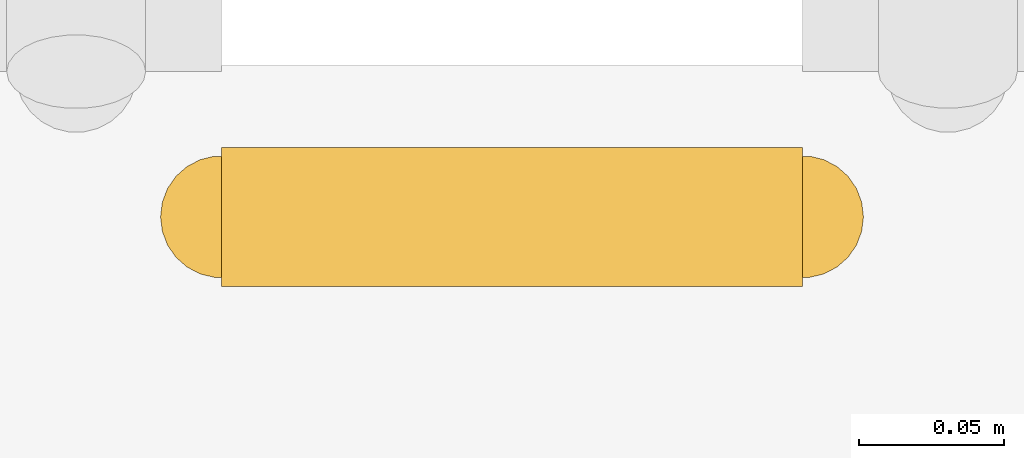
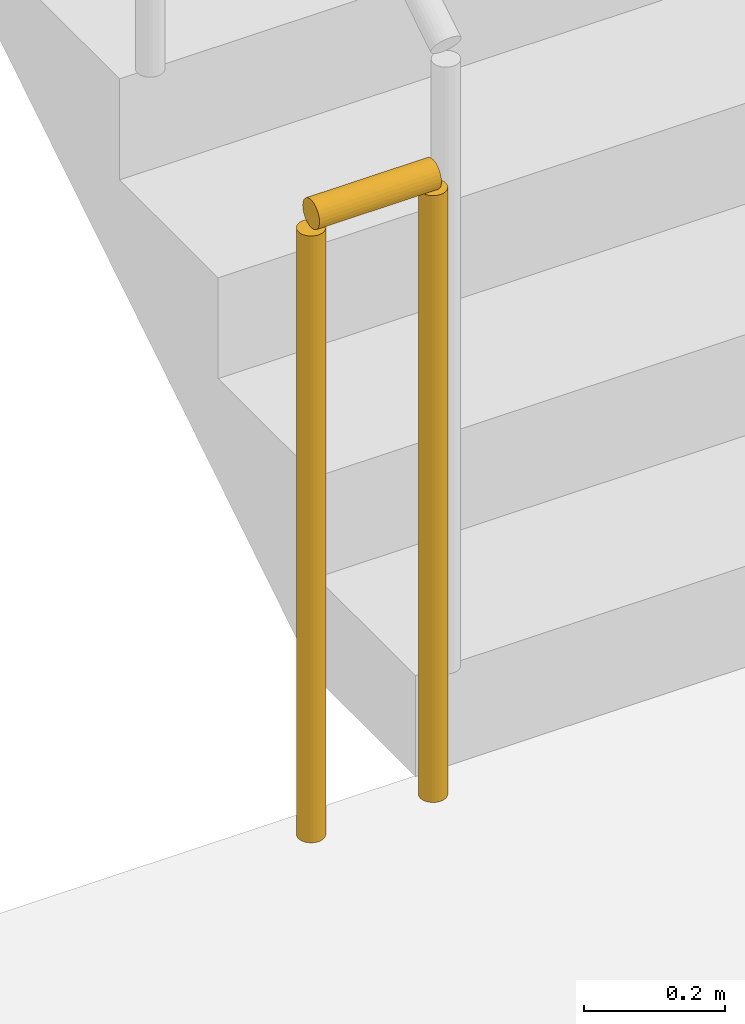
# One storey, part 11 of 22: 1 railing.
"""IFC4 building model written with IfcOpenShell, lengths in metres."""

from ifc_helpers import new_model, si_unit, direction, frame, origin, origin_2d, place, context, subcontext, project, spatial, circle, extrude, material, type_object, element, save


model = new_model("IFC4")

# Units and contexts
model_context = context("Model", 3, precision=1e-05, world=origin(), true_north=direction((0.0, 1.0)))
body_context = subcontext(model_context, "Body", "Model", "MODEL_VIEW")
ifc_project = project(units=[si_unit("LENGTHUNIT", "METRE"), si_unit("AREAUNIT", "SQUARE_METRE"), si_unit("VOLUMEUNIT", "CUBIC_METRE"), si_unit("PLANEANGLEUNIT", "RADIAN"), si_unit("MASSUNIT", "GRAM", prefix="KILO")], contexts=[model_context])

# Site, building, storey
site_placement = place(None, origin())
site = spatial("IfcSite", under=ifc_project, at=site_placement, CompositionType="ELEMENT")
building_placement = place(site_placement, origin())
building = spatial("IfcBuilding", under=site, at=building_placement, Name="Kiln Ring Residences", CompositionType="ELEMENT")
storey_placement = place(building_placement, frame((0.0, 0.0, 143.10009765625)))
storey = spatial("IfcBuildingStorey", under=building, at=storey_placement, Name="L36", CompositionType="ELEMENT", Elevation=143.10009765625)

# Railing
ifc_material = material(Name="Stainless steel", Category="steel")
railing_type = type_object("IfcRailingType", Name="CORE-STAIR-GUARD", PredefinedType="GUARDRAIL", material=ifc_material)
railing_placement = place(storey_placement, frame((-22.0, -8.449951171875, 0.0)))
element("IfcRailing", 1, at=railing_placement, inside=storey, type_object=railing_type, Name="L36 W-STS stair guard 4", PredefinedType="GUARDRAIL", context=body_context, shape_type="SweptSolid", body=[
    extrude(circle(Radius=0.02392578125, at=origin_2d()), frame((0.0, 0.0, 1.076171875), z_axis=(-1.0, 0.0, 0.0), x_axis=(0.0, -1.0, 0.0)), (0.0, 0.0, 1.0), 0.199951171875),
    extrude(circle(Radius=0.02099609375, at=origin_2d()), origin(), (0.0, 0.0, 1.0), 1.052001953125),
    extrude(circle(Radius=0.02099609375, at=origin_2d()), frame((-0.199951171875, 0.0, 0.0)), (0.0, 0.0, 1.0), 1.052001953125),
])

save(model, "model.ifc")
